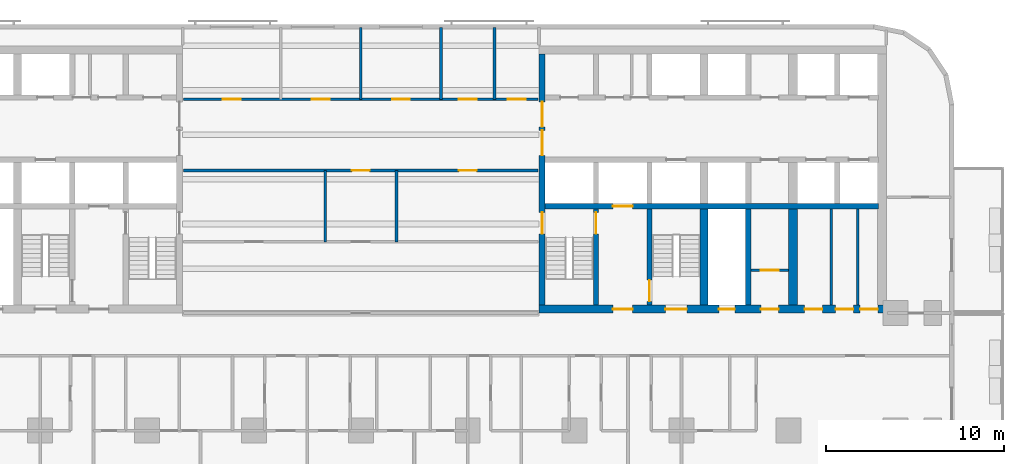
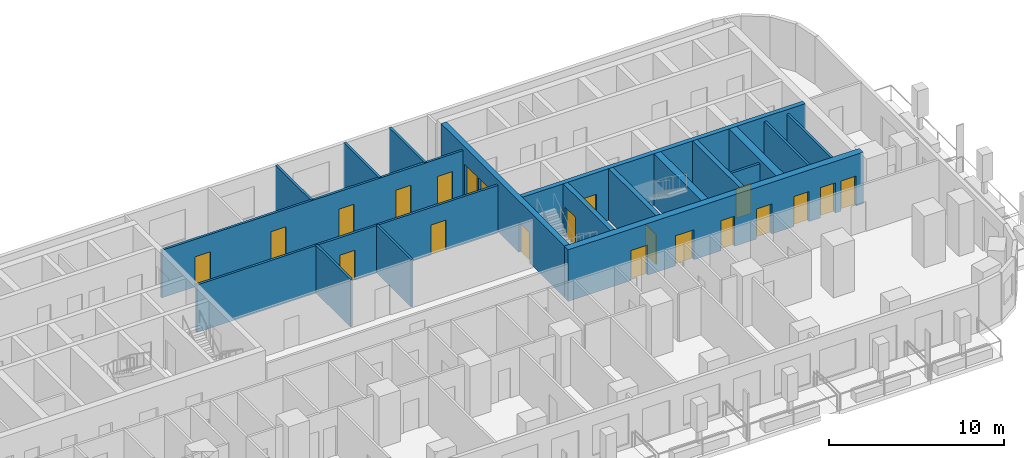
# One storey, part 7 of 14: 21 doors, 18 walls, 21 openings.
"""IFC4 building model written with IfcOpenShell, lengths in metres."""

from ifc_helpers import new_model, si_unit, direction, frame, frame_2d, origin, place, context, subcontext, project, spatial, rectangle, extrude, material, layer, layer_set, type_object, element, fill, save


model = new_model("IFC4")

# Units and contexts
model_context = context("Model", 3, precision=1e-05, world=origin(), true_north=direction((0.0, 1.0)))
body_context = subcontext(model_context, "Body", "Model", "MODEL_VIEW")
ifc_project = project(units=[si_unit("LENGTHUNIT", "METRE"), si_unit("AREAUNIT", "SQUARE_METRE"), si_unit("VOLUMEUNIT", "CUBIC_METRE"), si_unit("PLANEANGLEUNIT", "RADIAN"), si_unit("MASSUNIT", "GRAM", prefix="KILO")], contexts=[model_context])

# Site, building, storey
site_placement = place(None, origin())
site = spatial("IfcSite", under=ifc_project, at=site_placement, CompositionType="ELEMENT")
building_placement = place(site_placement, origin())
building = spatial("IfcBuilding", under=site, at=building_placement, Name="Torana Hotel and Residences", CompositionType="ELEMENT")
storey_placement = place(building_placement, frame((0.0, 0.0, 85.199951171875)))
storey = spatial("IfcBuildingStorey", under=building, at=storey_placement, Name="L21", CompositionType="ELEMENT", Elevation=85.199951171875)

# Wall, opening, door
ifc_material_1 = material(Name="Concrete C80/95", Category="concrete")
ifc_layer_1 = layer(ifc_material_1, 0.300048828125)
ifc_layer_set_1 = layer_set([ifc_layer_1], Name="CORE WALL 300 C80/95")
wall_type_1 = type_object("IfcWallType", Name="CORE WALL 300 C80/95", PredefinedType="SHEAR", material=ifc_layer_set_1)
wall_1_placement = place(storey_placement, frame((10.35009765625, -9.0, 0.0), z_axis=(0.0, 0.0, 1.0), x_axis=(1.0, 0.0, 0.0)))
wall_1 = element("IfcWall", 1, at=wall_1_placement, inside=storey, type_object=wall_type_1, Name="Core wall E band", PredefinedType="SHEAR", context=body_context, shape_type="SweptSolid", body=[
    extrude(rectangle(XDim=18.699951171875, YDim=0.300048828125, at=frame_2d((9.35009765625, 0.0))), origin(), (0.0, 0.0, 1.0), 3.60009765625),
])
opening_1_placement = place(wall_1_placement, frame((3.800048828125, 0.0, 0.0)))
opening_1 = element("IfcOpeningElement", 2, at=opening_1_placement, cuts=wall_1, Name="Opening LD", PredefinedType="OPENING", context=body_context, shape_type="SweptSolid", body=[
    extrude(rectangle(XDim=1.10009765625, YDim=2.10009765625, at=frame_2d((0.550048828125, 1.050048828125))), frame((0.0, 0.159912109375, 0.0), z_axis=(0.0, -1.0, 0.0), x_axis=(1.0, 0.0, 0.0)), (0.0, 0.0, 1.0), 0.320068359375),
])
ifc_material_2 = material(Name="Stainless steel 316", Category="steel")
door_type_1 = type_object("IfcDoorType", Name="LIFT LANDING DOOR LD 1100x2100", OperationType="DOUBLE_DOOR_SLIDING", PredefinedType="USERDEFINED", material=ifc_material_2)
door_1_placement = place(opening_1_placement, origin())
door_1 = element("IfcDoor", 3, at=door_1_placement, inside=storey, type_object=door_type_1, Name="Lift landing door FF2 L21", ObjectType="LIFT LANDING DOOR", OperationType="DOUBLE_DOOR_SLIDING", OverallHeight=2.10009765625, OverallWidth=1.10009765625, PredefinedType="USERDEFINED", context=body_context, shape_type="SweptSolid", body=[
    extrude(rectangle(XDim=1.10009765625, YDim=2.10009765625, at=frame_2d((0.550048828125, 1.050048828125))), frame((0.0, 0.02490234375, 0.0), z_axis=(0.0, -1.0, 0.0), x_axis=(1.0, 0.0, 0.0)), (0.0, 0.0, 1.0), 0.050048828125),
])
fill(opening_1, door_1)

wall_2_placement = place(storey_placement, frame((13.199951171875, -14.550048828125, 0.0), z_axis=(0.0, 0.0, 1.0), x_axis=(0.0, 1.0, 0.0)))
wall_2 = element("IfcWall", 4, at=wall_2_placement, inside=storey, type_object=wall_type_1, Name="Core wall E x3.05-band", PredefinedType="SHEAR", context=body_context, shape_type="SweptSolid", body=[
    extrude(rectangle(XDim=5.400146484375, YDim=0.300048828125, at=frame_2d((2.7001953125, 0.0))), origin(), (0.0, 0.0, 1.0), 3.60009765625),
])
opening_2_placement = place(wall_2_placement, frame((4.0, 0.0, 0.0)))
opening_2 = element("IfcOpeningElement", 5, at=opening_2_placement, cuts=wall_2, Name="Opening L21-35", PredefinedType="OPENING", context=body_context, shape_type="SweptSolid", body=[
    extrude(rectangle(XDim=1.199951171875, YDim=2.10009765625, at=frame_2d((0.60009765625, 1.050048828125))), frame((0.0, 0.159912109375, 0.0), z_axis=(0.0, -1.0, 0.0), x_axis=(1.0, 0.0, 0.0)), (0.0, 0.0, 1.0), 0.320068359375),
])
ifc_material_3 = material(Name="Steel S235", Category="steel")
door_type_2 = type_object("IfcDoorType", Name="STAIR FIRE DOOR D3 1200x2100", OperationType="SINGLE_SWING_LEFT", PredefinedType="DOOR", material=ifc_material_3)
door_2_placement = place(opening_2_placement, origin())
door_2 = element("IfcDoor", 6, at=door_2_placement, inside=storey, type_object=door_type_2, Name="Stair-A-lobby door L21", OperationType="SINGLE_SWING_LEFT", OverallHeight=2.10009765625, OverallWidth=1.199951171875, PredefinedType="DOOR", context=body_context, shape_type="SweptSolid", body=[
    extrude(rectangle(XDim=1.199951171875, YDim=2.10009765625, at=frame_2d((0.60009765625, 1.050048828125))), frame((0.0, 0.02490234375, 0.0), z_axis=(0.0, -1.0, 0.0), x_axis=(1.0, 0.0, 0.0)), (0.0, 0.0, 1.0), 0.050048828125),
])
fill(opening_2, door_2)

wall_3_placement = place(storey_placement, frame((16.199951171875, -14.550048828125, 0.0), z_axis=(0.0, 0.0, 1.0), x_axis=(0.0, 1.0, 0.0)))
wall_3 = element("IfcWall", 7, at=wall_3_placement, inside=storey, type_object=wall_type_1, Name="Core wall E x6.05-band", PredefinedType="SHEAR", context=body_context, shape_type="SweptSolid", body=[
    extrude(rectangle(XDim=5.400146484375, YDim=0.300048828125, at=frame_2d((2.7001953125, 0.0))), origin(), (0.0, 0.0, 1.0), 3.60009765625),
])
opening_3_placement = place(wall_3_placement, frame((0.199951171875, 0.0, 0.0)))
opening_3 = element("IfcOpeningElement", 8, at=opening_3_placement, cuts=wall_3, Name="Opening L21-36", PredefinedType="OPENING", context=body_context, shape_type="SweptSolid", body=[
    extrude(rectangle(XDim=1.199951171875, YDim=2.10009765625, at=frame_2d((0.60009765625, 1.050048828125))), frame((0.0, 0.159912109375, 0.0), z_axis=(0.0, -1.0, 0.0), x_axis=(1.0, 0.0, 0.0)), (0.0, 0.0, 1.0), 0.320068359375),
])
door_3_placement = place(opening_3_placement, frame((0.60009765625, 0.0, 0.0), z_axis=(0.0, 0.0, 1.0), x_axis=(-1.0, 0.0, 0.0)))
door_3 = element("IfcDoor", 9, at=door_3_placement, inside=storey, type_object=door_type_2, Name="Stair-B-lobby door L21", OperationType="SINGLE_SWING_LEFT", OverallHeight=2.10009765625, OverallWidth=1.199951171875, PredefinedType="DOOR", context=body_context, shape_type="SweptSolid", body=[
    extrude(rectangle(XDim=1.199951171875, YDim=2.10009765625, at=frame_2d((0.0, 1.050048828125))), frame((0.0, -0.02490234375, 0.0), z_axis=(0.0, 1.0, 0.0), x_axis=(-1.0, 0.0, 0.0)), (0.0, 0.0, 1.0), 0.050048828125),
])
fill(opening_3, door_3)

# Wall
wall_4_placement = place(storey_placement, frame((21.75, -14.550048828125, 0.0), z_axis=(0.0, 0.0, 1.0), x_axis=(0.0, 1.0, 0.0)))
element("IfcWall", 10, at=wall_4_placement, inside=storey, type_object=wall_type_1, Name="Core wall E mm-band", PredefinedType="SHEAR", context=body_context, shape_type="SweptSolid", body=[
    extrude(rectangle(XDim=5.400146484375, YDim=0.300048828125, at=frame_2d((2.7001953125, 0.0))), origin(), (0.0, 0.0, 1.0), 3.60009765625),
])

# Wall, openings, doors
ifc_material_4 = material(Name="Concrete C80/95", Category="concrete")
ifc_layer_2 = layer(ifc_material_4, 0.35009765625)
ifc_layer_set_2 = layer_set([ifc_layer_2], Name="CORE WALL 350 C80/95")
wall_type_2 = type_object("IfcWallType", Name="CORE WALL 350 C80/95", PredefinedType="SHEAR", material=ifc_layer_set_2)
wall_5_placement = place(storey_placement, frame((10.175048828125, -14.550048828125, 0.0), z_axis=(0.0, 0.0, 1.0), x_axis=(0.0, 1.0, 0.0)))
wall_5 = element("IfcWall", 11, at=wall_5_placement, inside=storey, type_object=wall_type_2, Name="Core wall E arch", PredefinedType="SHEAR", context=body_context, shape_type="SweptSolid", body=[
    extrude(rectangle(XDim=14.10009765625, YDim=0.35009765625, at=frame_2d((7.050048828125, 0.0))), origin(), (0.0, 0.0, 1.0), 3.60009765625),
])
opening_4_placement = place(wall_5_placement, frame((8.39990234375, 0.0, 0.0)))
opening_4 = element("IfcOpeningElement", 12, at=opening_4_placement, cuts=wall_5, Name="Opening L21-19", PredefinedType="OPENING", context=body_context, shape_type="SweptSolid", body=[
    extrude(rectangle(XDim=1.39990234375, YDim=2.39990234375, at=frame_2d((0.699951171875, 1.199951171875))), frame((0.0, 0.18505859375, 0.0), z_axis=(0.0, -1.0, 0.0), x_axis=(1.0, 0.0, 0.0)), (0.0, 0.0, 1.0), 0.3701171875),
])
opening_5_placement = place(wall_5_placement, frame((10.0, 0.0, 0.0)))
opening_5 = element("IfcOpeningElement", 13, at=opening_5_placement, cuts=wall_5, Name="Opening L21-20", PredefinedType="OPENING", context=body_context, shape_type="SweptSolid", body=[
    extrude(rectangle(XDim=1.39990234375, YDim=2.39990234375, at=frame_2d((0.699951171875, 1.199951171875))), frame((0.0, 0.18505859375, 0.0), z_axis=(0.0, -1.0, 0.0), x_axis=(1.0, 0.0, 0.0)), (0.0, 0.0, 1.0), 0.3701171875),
])
opening_6_placement = place(wall_5_placement, frame((4.0, 0.0, 0.0)))
opening_6 = element("IfcOpeningElement", 14, at=opening_6_placement, cuts=wall_5, Name="Opening L21-21", PredefinedType="OPENING", context=body_context, shape_type="SweptSolid", body=[
    extrude(rectangle(XDim=1.199951171875, YDim=2.10009765625, at=frame_2d((0.60009765625, 1.050048828125))), frame((0.0, 0.18505859375, 0.0), z_axis=(0.0, -1.0, 0.0), x_axis=(1.0, 0.0, 0.0)), (0.0, 0.0, 1.0), 0.3701171875),
])
ifc_material_5 = material(Name="Steel S235", Category="steel")
door_type_3 = type_object("IfcDoorType", Name="LOBBY FIRE DOOR D4 1400x2400", OperationType="DOUBLE_DOOR_SINGLE_SWING", PredefinedType="DOOR", material=ifc_material_5)
door_4_placement = place(opening_4_placement, origin())
door_4 = element("IfcDoor", 15, at=door_4_placement, inside=storey, type_object=door_type_3, Name="Lobby-1 door L21", OperationType="DOUBLE_DOOR_SINGLE_SWING", OverallHeight=2.39990234375, OverallWidth=1.39990234375, PredefinedType="DOOR", context=body_context, shape_type="SweptSolid", body=[
    extrude(rectangle(XDim=1.39990234375, YDim=2.39990234375, at=frame_2d((0.699951171875, 1.199951171875))), frame((0.0, 0.02490234375, 0.0), z_axis=(0.0, -1.0, 0.0), x_axis=(1.0, 0.0, 0.0)), (0.0, 0.0, 1.0), 0.050048828125),
])
fill(opening_4, door_4)
door_5_placement = place(opening_5_placement, origin())
door_5 = element("IfcDoor", 16, at=door_5_placement, inside=storey, type_object=door_type_3, Name="Lobby-2 door L21", OperationType="DOUBLE_DOOR_SINGLE_SWING", OverallHeight=2.39990234375, OverallWidth=1.39990234375, PredefinedType="DOOR", context=body_context, shape_type="SweptSolid", body=[
    extrude(rectangle(XDim=1.39990234375, YDim=2.39990234375, at=frame_2d((0.699951171875, 1.199951171875))), frame((0.0, 0.02490234375, 0.0), z_axis=(0.0, -1.0, 0.0), x_axis=(1.0, 0.0, 0.0)), (0.0, 0.0, 1.0), 0.050048828125),
])
fill(opening_5, door_5)
door_6_placement = place(opening_6_placement, frame((0.60009765625, 0.0, 0.0), z_axis=(0.0, 0.0, 1.0), x_axis=(-1.0, 0.0, 0.0)))
door_6 = element("IfcDoor", 17, at=door_6_placement, inside=storey, type_object=door_type_2, Name="Stair-A door L21", OperationType="SINGLE_SWING_RIGHT", OverallHeight=2.10009765625, OverallWidth=1.199951171875, PredefinedType="DOOR", context=body_context, shape_type="SweptSolid", body=[
    extrude(rectangle(XDim=1.199951171875, YDim=2.10009765625, at=frame_2d((0.0, 1.050048828125))), frame((0.0, -0.02490234375, 0.0), z_axis=(0.0, 1.0, 0.0), x_axis=(-1.0, 0.0, 0.0)), (0.0, 0.0, 1.0), 0.050048828125),
])
fill(opening_6, door_6)

ifc_material_6 = material(Name="Concrete C80/95", Category="concrete")
ifc_layer_3 = layer(ifc_material_6, 0.449951171875)
ifc_layer_set_3 = layer_set([ifc_layer_3], Name="CORE WALL 450 C80/95")
wall_type_3 = type_object("IfcWallType", Name="CORE WALL 450 C80/95", PredefinedType="SHEAR", material=ifc_layer_set_3)
wall_6_placement = place(storey_placement, frame((10.0, -14.77490234375, 0.0), z_axis=(0.0, 0.0, 1.0), x_axis=(1.0, 0.0, 0.0)))
wall_6 = element("IfcWall", 18, at=wall_6_placement, inside=storey, type_object=wall_type_3, Name="Core wall E front", PredefinedType="SHEAR", context=body_context, shape_type="SweptSolid", body=[
    extrude(rectangle(XDim=19.5, YDim=0.449951171875, at=frame_2d((9.75, 0.0))), origin(), (0.0, 0.0, 1.0), 3.60009765625),
])
opening_7_placement = place(wall_6_placement, frame((7.10009765625, 0.0, 0.0)))
opening_7 = element("IfcOpeningElement", 19, at=opening_7_placement, cuts=wall_6, Name="Opening L21-22", PredefinedType="OPENING", context=body_context, shape_type="SweptSolid", body=[
    extrude(rectangle(XDim=1.199951171875, YDim=2.10009765625, at=frame_2d((0.60009765625, 1.050048828125))), frame((0.0, 0.23486328125, 0.0), z_axis=(0.0, -1.0, 0.0), x_axis=(1.0, 0.0, 0.0)), (0.0, 0.0, 1.0), 0.469970703125),
])
opening_8_placement = place(wall_6_placement, frame((4.14990234375, 0.0, 0.0)))
opening_8 = element("IfcOpeningElement", 20, at=opening_8_placement, cuts=wall_6, Name="Opening L21-23", PredefinedType="OPENING", context=body_context, shape_type="SweptSolid", body=[
    extrude(rectangle(XDim=1.10009765625, YDim=2.10009765625, at=frame_2d((0.550048828125, 1.050048828125))), frame((0.0, 0.23486328125, 0.0), z_axis=(0.0, -1.0, 0.0), x_axis=(1.0, 0.0, 0.0)), (0.0, 0.0, 1.0), 0.469970703125),
])
opening_9_placement = place(wall_6_placement, frame((10.10009765625, 0.0, 0.0)))
opening_9 = element("IfcOpeningElement", 21, at=opening_9_placement, cuts=wall_6, Name="Opening L21-24", PredefinedType="OPENING", context=body_context, shape_type="SweptSolid", body=[
    extrude(rectangle(XDim=0.89990234375, YDim=2.10009765625, at=frame_2d((0.449951171875, 1.050048828125))), frame((0.0, 0.23486328125, 0.0), z_axis=(0.0, -1.0, 0.0), x_axis=(1.0, 0.0, 0.0)), (0.0, 0.0, 1.0), 0.469970703125),
])
opening_10_placement = place(wall_6_placement, frame((12.449951171875, 0.0, 0.0)))
opening_10 = element("IfcOpeningElement", 22, at=opening_10_placement, cuts=wall_6, Name="Opening L21-25", PredefinedType="OPENING", context=body_context, shape_type="SweptSolid", body=[
    extrude(rectangle(XDim=1.0, YDim=2.10009765625, at=frame_2d((0.5, 1.050048828125))), frame((0.0, 0.23486328125, 0.0), z_axis=(0.0, -1.0, 0.0), x_axis=(1.0, 0.0, 0.0)), (0.0, 0.0, 1.0), 0.469970703125),
])
opening_11_placement = place(wall_6_placement, frame((14.91259765625, 0.0, 0.0)))
opening_11 = element("IfcOpeningElement", 23, at=opening_11_placement, cuts=wall_6, Name="Opening L21-26", PredefinedType="OPENING", context=body_context, shape_type="SweptSolid", body=[
    extrude(rectangle(XDim=1.0, YDim=2.10009765625, at=frame_2d((0.5, 1.050048828125))), frame((0.0, 0.23486328125, 0.0), z_axis=(0.0, -1.0, 0.0), x_axis=(1.0, 0.0, 0.0)), (0.0, 0.0, 1.0), 0.469970703125),
])
opening_12_placement = place(wall_6_placement, frame((16.64990234375, 0.0, 0.0)))
opening_12 = element("IfcOpeningElement", 24, at=opening_12_placement, cuts=wall_6, Name="Opening L21-27", PredefinedType="OPENING", context=body_context, shape_type="SweptSolid", body=[
    extrude(rectangle(XDim=1.0, YDim=2.10009765625, at=frame_2d((0.5, 1.050048828125))), frame((0.0, 0.23486328125, 0.0), z_axis=(0.0, -1.0, 0.0), x_axis=(1.0, 0.0, 0.0)), (0.0, 0.0, 1.0), 0.469970703125),
])
opening_13_placement = place(wall_6_placement, frame((18.02490234375, 0.0, 0.0)))
opening_13 = element("IfcOpeningElement", 25, at=opening_13_placement, cuts=wall_6, Name="Opening L21-28", PredefinedType="OPENING", context=body_context, shape_type="SweptSolid", body=[
    extrude(rectangle(XDim=1.0, YDim=2.10009765625, at=frame_2d((0.5, 1.050048828125))), frame((0.0, 0.23486328125, 0.0), z_axis=(0.0, -1.0, 0.0), x_axis=(1.0, 0.0, 0.0)), (0.0, 0.0, 1.0), 0.469970703125),
])
ifc_material_7 = material(Name="Steel S235", Category="steel")
door_type_4 = type_object("IfcDoorType", Name="CORE ROOM FIRE DOOR D14 1000x2100", OperationType="SINGLE_SWING_LEFT", PredefinedType="DOOR", material=ifc_material_7)
door_7_placement = place(opening_10_placement, origin())
door_7 = element("IfcDoor", 26, at=door_7_placement, inside=storey, type_object=door_type_4, Name="M-Room-B door L21", OperationType="SINGLE_SWING_RIGHT", OverallHeight=2.10009765625, OverallWidth=1.0, PredefinedType="DOOR", context=body_context, shape_type="SweptSolid", body=[
    extrude(rectangle(XDim=1.0, YDim=2.10009765625, at=frame_2d((0.5, 1.050048828125))), frame((0.0, 0.02490234375, 0.0), z_axis=(0.0, -1.0, 0.0), x_axis=(1.0, 0.0, 0.0)), (0.0, 0.0, 1.0), 0.050048828125),
])
fill(opening_10, door_7)
door_8_placement = place(opening_11_placement, origin())
door_8 = element("IfcDoor", 27, at=door_8_placement, inside=storey, type_object=door_type_4, Name="L-A door L21", OperationType="SINGLE_SWING_RIGHT", OverallHeight=2.10009765625, OverallWidth=1.0, PredefinedType="DOOR", context=body_context, shape_type="SweptSolid", body=[
    extrude(rectangle(XDim=1.0, YDim=2.10009765625, at=frame_2d((0.5, 1.050048828125))), frame((0.0, 0.02490234375, 0.0), z_axis=(0.0, -1.0, 0.0), x_axis=(1.0, 0.0, 0.0)), (0.0, 0.0, 1.0), 0.050048828125),
])
fill(opening_11, door_8)
door_9_placement = place(opening_12_placement, origin())
door_9 = element("IfcDoor", 28, at=door_9_placement, inside=storey, type_object=door_type_4, Name="L-B door L21", OperationType="SINGLE_SWING_RIGHT", OverallHeight=2.10009765625, OverallWidth=1.0, PredefinedType="DOOR", context=body_context, shape_type="SweptSolid", body=[
    extrude(rectangle(XDim=1.0, YDim=2.10009765625, at=frame_2d((0.5, 1.050048828125))), frame((0.0, 0.02490234375, 0.0), z_axis=(0.0, -1.0, 0.0), x_axis=(1.0, 0.0, 0.0)), (0.0, 0.0, 1.0), 0.050048828125),
])
fill(opening_12, door_9)
door_10_placement = place(opening_13_placement, origin())
door_10 = element("IfcDoor", 29, at=door_10_placement, inside=storey, type_object=door_type_4, Name="L-C door L21", OperationType="SINGLE_SWING_RIGHT", OverallHeight=2.10009765625, OverallWidth=1.0, PredefinedType="DOOR", context=body_context, shape_type="SweptSolid", body=[
    extrude(rectangle(XDim=1.0, YDim=2.10009765625, at=frame_2d((0.5, 1.050048828125))), frame((0.0, 0.02490234375, 0.0), z_axis=(0.0, -1.0, 0.0), x_axis=(1.0, 0.0, 0.0)), (0.0, 0.0, 1.0), 0.050048828125),
])
fill(opening_13, door_10)
ifc_material_8 = material(Name="Steel S235", Category="steel")
door_type_5 = type_object("IfcDoorType", Name="FIRE-FIGHTING LOBBY DOOR D8 1100x2100", OperationType="SINGLE_SWING_LEFT", PredefinedType="DOOR", material=ifc_material_8)
door_11_placement = place(opening_8_placement, origin())
door_11 = element("IfcDoor", 30, at=door_11_placement, inside=storey, type_object=door_type_5, Name="FF-lobby door L21", OperationType="SINGLE_SWING_RIGHT", OverallHeight=2.10009765625, OverallWidth=1.10009765625, PredefinedType="DOOR", context=body_context, shape_type="SweptSolid", body=[
    extrude(rectangle(XDim=1.10009765625, YDim=2.10009765625, at=frame_2d((0.550048828125, 1.050048828125))), frame((0.0, 0.02490234375, 0.0), z_axis=(0.0, -1.0, 0.0), x_axis=(1.0, 0.0, 0.0)), (0.0, 0.0, 1.0), 0.050048828125),
])
fill(opening_8, door_11)
ifc_material_9 = material(Name="Steel S235", Category="steel")
door_type_6 = type_object("IfcDoorType", Name="RISER ACCESS DOOR D5 900x2100", OperationType="SINGLE_SWING_LEFT", PredefinedType="DOOR", material=ifc_material_9)
door_12_placement = place(opening_9_placement, origin())
door_12 = element("IfcDoor", 31, at=door_12_placement, inside=storey, type_object=door_type_6, Name="M-Riser door L21", OperationType="SINGLE_SWING_RIGHT", OverallHeight=2.10009765625, OverallWidth=0.89990234375, PredefinedType="DOOR", context=body_context, shape_type="SweptSolid", body=[
    extrude(rectangle(XDim=0.89990234375, YDim=2.10009765625, at=frame_2d((0.449951171875, 1.050048828125))), frame((0.0, 0.02490234375, 0.0), z_axis=(0.0, -1.0, 0.0), x_axis=(1.0, 0.0, 0.0)), (0.0, 0.0, 1.0), 0.050048828125),
])
fill(opening_9, door_12)
door_13_placement = place(opening_7_placement, origin())
door_13 = element("IfcDoor", 32, at=door_13_placement, inside=storey, type_object=door_type_2, Name="Stair-B door L21", OperationType="SINGLE_SWING_RIGHT", OverallHeight=2.10009765625, OverallWidth=1.199951171875, PredefinedType="DOOR", context=body_context, shape_type="SweptSolid", body=[
    extrude(rectangle(XDim=1.199951171875, YDim=2.10009765625, at=frame_2d((0.60009765625, 1.050048828125))), frame((0.0, 0.02490234375, 0.0), z_axis=(0.0, -1.0, 0.0), x_axis=(1.0, 0.0, 0.0)), (0.0, 0.0, 1.0), 0.050048828125),
])
fill(opening_7, door_13)

# Walls
wall_7_placement = place(storey_placement, frame((19.27490234375, -14.550048828125, 0.0), z_axis=(0.0, 0.0, 1.0), x_axis=(0.0, 1.0, 0.0)))
element("IfcWall", 33, at=wall_7_placement, inside=storey, type_object=wall_type_3, Name="Core wall E hm-band", PredefinedType="SHEAR", context=body_context, shape_type="SweptSolid", body=[
    extrude(rectangle(XDim=5.400146484375, YDim=0.449951171875, at=frame_2d((2.7001953125, 0.0))), origin(), (0.0, 0.0, 1.0), 3.60009765625),
])
ifc_material_10 = material(Name="Concrete C80/95", Category="concrete")
ifc_layer_4 = layer(ifc_material_10, 0.5)
ifc_layer_set_4 = layer_set([ifc_layer_4], Name="CORE WALL 500 C80/95")
wall_type_4 = type_object("IfcWallType", Name="CORE WALL 500 C80/95", PredefinedType="SHEAR", material=ifc_layer_set_4)
wall_8_placement = place(storey_placement, frame((24.25, -14.550048828125, 0.0), z_axis=(0.0, 0.0, 1.0), x_axis=(0.0, 1.0, 0.0)))
element("IfcWall", 34, at=wall_8_placement, inside=storey, type_object=wall_type_4, Name="Core wall E ml-band", PredefinedType="SHEAR", context=body_context, shape_type="SweptSolid", body=[
    extrude(rectangle(XDim=5.400146484375, YDim=0.5, at=frame_2d((2.7001953125, 0.0))), origin(), (0.0, 0.0, 1.0), 3.60009765625),
])

# Wall, opening, door
ifc_material_11 = material(Name="Gypsum plaster")
ifc_layer_5 = layer(ifc_material_11, 0.014892578125, Name="Plaster", Category="finish")
ifc_material_12 = material(Name="Concrete blockwork", Category="masonry")
ifc_layer_6 = layer(ifc_material_12, 0.1201171875, Name="Blockwork", Category="structure")
ifc_layer_7 = layer(ifc_material_11, 0.014892578125, Name="Plaster", Category="finish")
ifc_layer_set_5 = layer_set([ifc_layer_5, ifc_layer_6, ifc_layer_7], Name="FIRE PARTITION 150 BLOCKWORK")
wall_type_5 = type_object("IfcWallType", Name="FIRE PARTITION 150 BLOCKWORK", PredefinedType="PARTITIONING", material=ifc_layer_set_5)
wall_9_placement = place(storey_placement, frame((21.89990234375, -12.60009765625, 0.0), z_axis=(0.0, 0.0, 1.0), x_axis=(1.0, 0.0, 0.0)))
wall_9 = element("IfcWall", 35, at=wall_9_placement, inside=storey, type_object=wall_type_5, Name="Core partition L21", PredefinedType="PARTITIONING", context=body_context, shape_type="SweptSolid", body=[
    extrude(rectangle(XDim=2.10009765625, YDim=0.14990234375, at=frame_2d((1.050048828125, 0.0))), origin(), (0.0, 0.0, 1.0), 3.300048828125),
])
opening_14_placement = place(wall_9_placement, frame((0.550048828125, 0.0, 0.0)))
opening_14 = element("IfcOpeningElement", 36, at=opening_14_placement, cuts=wall_9, Name="Opening L21-38", PredefinedType="OPENING", context=body_context, shape_type="SweptSolid", body=[
    extrude(rectangle(XDim=1.0, YDim=2.10009765625, at=frame_2d((0.5, 1.050048828125))), frame((0.0, 0.0849609375, 0.0), z_axis=(0.0, -1.0, 0.0), x_axis=(1.0, 0.0, 0.0)), (0.0, 0.0, 1.0), 0.169921875),
])
door_14_placement = place(opening_14_placement, origin())
door_14 = element("IfcDoor", 37, at=door_14_placement, inside=storey, type_object=door_type_4, Name="Plant room door L21", OperationType="SINGLE_SWING_RIGHT", OverallHeight=2.10009765625, OverallWidth=1.0, PredefinedType="DOOR", context=body_context, shape_type="SweptSolid", body=[
    extrude(rectangle(XDim=1.0, YDim=2.10009765625, at=frame_2d((0.5, 1.050048828125))), frame((0.0, 0.02490234375, 0.0), z_axis=(0.0, -1.0, 0.0), x_axis=(1.0, 0.0, 0.0)), (0.0, 0.0, 1.0), 0.050048828125),
])
fill(opening_14, door_14)

# Walls
for number, where, z_axis, x_axis, name in (
    (38, (26.39990234375, -14.550048828125, 0.0), (0.0, 0.0, 1.0), (0.0, 1.0, 0.0), "Core partition L21"),
    (39, (27.89990234375, -14.550048828125, 0.0), (0.0, 0.0, 1.0), (0.0, 1.0, 0.0), "Core partition L21"),
):
    element("IfcWall", number, at=place(storey_placement, frame(where, z_axis=z_axis, x_axis=x_axis)), inside=storey, type_object=wall_type_5, Name=name, PredefinedType="PARTITIONING", context=body_context, shape_type="SweptSolid", body=[
        extrude(rectangle(XDim=5.400146484375, YDim=0.14990234375, at=frame_2d((2.7001953125, 0.0))), origin(), (0.0, 0.0, 1.0), 3.300048828125),
    ])
for number, where, z_axis, x_axis, name in (
    (40, (2.0, -11.0, 0.0), (0.0, 0.0, 1.0), (0.0, 1.0, 0.0), "Partition L21"),
    (41, (-2.0, -11.0, 0.0), (0.0, 0.0, 1.0), (0.0, 1.0, 0.0), "Partition L21"),
):
    element("IfcWall", number, at=place(storey_placement, frame(where, z_axis=z_axis, x_axis=x_axis)), inside=storey, type_object=wall_type_5, Name=name, PredefinedType="PARTITIONING", context=body_context, shape_type="SweptSolid", body=[
        extrude(rectangle(XDim=4.0, YDim=0.14990234375, at=frame_2d((2.0, 0.0))), origin(), (0.0, 0.0, 1.0), 3.320068359375),
    ])

# Wall, openings, doors
wall_10_placement = place(storey_placement, frame((-9.949951171875, -7.0, 0.0), z_axis=(0.0, 0.0, 1.0), x_axis=(1.0, 0.0, 0.0)))
wall_10 = element("IfcWall", 42, at=wall_10_placement, inside=storey, type_object=wall_type_5, Name="Partition L21", PredefinedType="PARTITIONING", context=body_context, shape_type="SweptSolid", body=[
    extrude(rectangle(XDim=19.89990234375, YDim=0.14990234375, at=frame_2d((9.949951171875, 0.0))), origin(), (0.0, 0.0, 1.0), 3.320068359375),
])
opening_15_placement = place(wall_10_placement, frame((9.449951171875, 0.0, 0.0)))
opening_15 = element("IfcOpeningElement", 43, at=opening_15_placement, cuts=wall_10, Name="Opening L21-53", PredefinedType="OPENING", context=body_context, shape_type="SweptSolid", body=[
    extrude(rectangle(XDim=1.0, YDim=2.10009765625, at=frame_2d((0.5, 1.050048828125))), frame((0.0, 0.0849609375, 0.0), z_axis=(0.0, -1.0, 0.0), x_axis=(1.0, 0.0, 0.0)), (0.0, 0.0, 1.0), 0.169921875),
])
opening_16_placement = place(wall_10_placement, frame((15.449951171875, 0.0, 0.0)))
opening_16 = element("IfcOpeningElement", 44, at=opening_16_placement, cuts=wall_10, Name="Opening L21-54", PredefinedType="OPENING", context=body_context, shape_type="SweptSolid", body=[
    extrude(rectangle(XDim=1.0, YDim=2.10009765625, at=frame_2d((0.5, 1.050048828125))), frame((0.0, 0.0849609375, 0.0), z_axis=(0.0, -1.0, 0.0), x_axis=(1.0, 0.0, 0.0)), (0.0, 0.0, 1.0), 0.169921875),
])
ifc_material_13 = material(Name="Steel S235", Category="steel")
door_type_7 = type_object("IfcDoorType", Name="ENTRY FIRE DOOR D6 1000x2100", OperationType="SINGLE_SWING_LEFT", PredefinedType="DOOR", material=ifc_material_13)
door_15_placement = place(opening_15_placement, origin())
door_15 = element("IfcDoor", 45, at=door_15_placement, inside=storey, type_object=door_type_7, Name="Door L21", OperationType="SINGLE_SWING_RIGHT", OverallHeight=2.10009765625, OverallWidth=1.0, PredefinedType="DOOR", context=body_context, shape_type="SweptSolid", body=[
    extrude(rectangle(XDim=1.0, YDim=2.10009765625, at=frame_2d((0.5, 1.050048828125))), frame((0.0, 0.02490234375, 0.0), z_axis=(0.0, -1.0, 0.0), x_axis=(1.0, 0.0, 0.0)), (0.0, 0.0, 1.0), 0.050048828125),
])
fill(opening_15, door_15)
door_16_placement = place(opening_16_placement, frame((0.5, 0.0, 0.0), z_axis=(0.0, 0.0, 1.0), x_axis=(-1.0, 0.0, 0.0)))
door_16 = element("IfcDoor", 46, at=door_16_placement, inside=storey, type_object=door_type_7, Name="Door L21", OperationType="SINGLE_SWING_LEFT", OverallHeight=2.10009765625, OverallWidth=1.0, PredefinedType="DOOR", context=body_context, shape_type="SweptSolid", body=[
    extrude(rectangle(XDim=1.0, YDim=2.10009765625, at=frame_2d((0.0, 1.050048828125))), frame((0.0, -0.02490234375, 0.0), z_axis=(0.0, 1.0, 0.0), x_axis=(-1.0, 0.0, 0.0)), (0.0, 0.0, 1.0), 0.050048828125),
])
fill(opening_16, door_16)

wall_11_placement = place(storey_placement, frame((-9.949951171875, -3.0, 0.0), z_axis=(0.0, 0.0, 1.0), x_axis=(1.0, 0.0, 0.0)))
wall_11 = element("IfcWall", 47, at=wall_11_placement, inside=storey, type_object=wall_type_5, Name="Partition L21", PredefinedType="PARTITIONING", context=body_context, shape_type="SweptSolid", body=[
    extrude(rectangle(XDim=19.89990234375, YDim=0.14990234375, at=frame_2d((9.949951171875, 0.0))), origin(), (0.0, 0.0, 1.0), 3.320068359375),
])
opening_17_placement = place(wall_11_placement, frame((2.199951171875, 0.0, 0.0)))
opening_17 = element("IfcOpeningElement", 48, at=opening_17_placement, cuts=wall_11, Name="Opening L21-55", PredefinedType="OPENING", context=body_context, shape_type="SweptSolid", body=[
    extrude(rectangle(XDim=1.0, YDim=2.10009765625, at=frame_2d((0.5, 1.050048828125))), frame((0.0, 0.0849609375, 0.0), z_axis=(0.0, -1.0, 0.0), x_axis=(1.0, 0.0, 0.0)), (0.0, 0.0, 1.0), 0.169921875),
])
opening_18_placement = place(wall_11_placement, frame((7.199951171875, 0.0, 0.0)))
opening_18 = element("IfcOpeningElement", 49, at=opening_18_placement, cuts=wall_11, Name="Opening L21-56", PredefinedType="OPENING", context=body_context, shape_type="SweptSolid", body=[
    extrude(rectangle(XDim=1.0, YDim=2.10009765625, at=frame_2d((0.5, 1.050048828125))), frame((0.0, 0.0849609375, 0.0), z_axis=(0.0, -1.0, 0.0), x_axis=(1.0, 0.0, 0.0)), (0.0, 0.0, 1.0), 0.169921875),
])
opening_19_placement = place(wall_11_placement, frame((11.699951171875, 0.0, 0.0)))
opening_19 = element("IfcOpeningElement", 50, at=opening_19_placement, cuts=wall_11, Name="Opening L21-57", PredefinedType="OPENING", context=body_context, shape_type="SweptSolid", body=[
    extrude(rectangle(XDim=1.0, YDim=2.10009765625, at=frame_2d((0.5, 1.050048828125))), frame((0.0, 0.0849609375, 0.0), z_axis=(0.0, -1.0, 0.0), x_axis=(1.0, 0.0, 0.0)), (0.0, 0.0, 1.0), 0.169921875),
])
opening_20_placement = place(wall_11_placement, frame((15.449951171875, 0.0, 0.0)))
opening_20 = element("IfcOpeningElement", 51, at=opening_20_placement, cuts=wall_11, Name="Opening L21-58", PredefinedType="OPENING", context=body_context, shape_type="SweptSolid", body=[
    extrude(rectangle(XDim=1.0, YDim=2.10009765625, at=frame_2d((0.5, 1.050048828125))), frame((0.0, 0.0849609375, 0.0), z_axis=(0.0, -1.0, 0.0), x_axis=(1.0, 0.0, 0.0)), (0.0, 0.0, 1.0), 0.169921875),
])
opening_21_placement = place(wall_11_placement, frame((18.199951171875, 0.0, 0.0)))
opening_21 = element("IfcOpeningElement", 52, at=opening_21_placement, cuts=wall_11, Name="Opening L21-59", PredefinedType="OPENING", context=body_context, shape_type="SweptSolid", body=[
    extrude(rectangle(XDim=1.0, YDim=2.10009765625, at=frame_2d((0.5, 1.050048828125))), frame((0.0, 0.0849609375, 0.0), z_axis=(0.0, -1.0, 0.0), x_axis=(1.0, 0.0, 0.0)), (0.0, 0.0, 1.0), 0.169921875),
])
door_17_placement = place(opening_17_placement, origin())
door_17 = element("IfcDoor", 53, at=door_17_placement, inside=storey, type_object=door_type_7, Name="Door L21", OperationType="SINGLE_SWING_RIGHT", OverallHeight=2.10009765625, OverallWidth=1.0, PredefinedType="DOOR", context=body_context, shape_type="SweptSolid", body=[
    extrude(rectangle(XDim=1.0, YDim=2.10009765625, at=frame_2d((0.5, 1.050048828125))), frame((0.0, 0.02490234375, 0.0), z_axis=(0.0, -1.0, 0.0), x_axis=(1.0, 0.0, 0.0)), (0.0, 0.0, 1.0), 0.050048828125),
])
fill(opening_17, door_17)
door_18_placement = place(opening_18_placement, origin())
door_18 = element("IfcDoor", 54, at=door_18_placement, inside=storey, type_object=door_type_7, Name="Door L21", OperationType="SINGLE_SWING_RIGHT", OverallHeight=2.10009765625, OverallWidth=1.0, PredefinedType="DOOR", context=body_context, shape_type="SweptSolid", body=[
    extrude(rectangle(XDim=1.0, YDim=2.10009765625, at=frame_2d((0.5, 1.050048828125))), frame((0.0, 0.02490234375, 0.0), z_axis=(0.0, -1.0, 0.0), x_axis=(1.0, 0.0, 0.0)), (0.0, 0.0, 1.0), 0.050048828125),
])
fill(opening_18, door_18)
door_19_placement = place(opening_19_placement, origin())
door_19 = element("IfcDoor", 55, at=door_19_placement, inside=storey, type_object=door_type_7, Name="Door L21", OperationType="SINGLE_SWING_RIGHT", OverallHeight=2.10009765625, OverallWidth=1.0, PredefinedType="DOOR", context=body_context, shape_type="SweptSolid", body=[
    extrude(rectangle(XDim=1.0, YDim=2.10009765625, at=frame_2d((0.5, 1.050048828125))), frame((0.0, 0.02490234375, 0.0), z_axis=(0.0, -1.0, 0.0), x_axis=(1.0, 0.0, 0.0)), (0.0, 0.0, 1.0), 0.050048828125),
])
fill(opening_19, door_19)
door_20_placement = place(opening_20_placement, origin())
door_20 = element("IfcDoor", 56, at=door_20_placement, inside=storey, type_object=door_type_7, Name="Door L21", OperationType="SINGLE_SWING_RIGHT", OverallHeight=2.10009765625, OverallWidth=1.0, PredefinedType="DOOR", context=body_context, shape_type="SweptSolid", body=[
    extrude(rectangle(XDim=1.0, YDim=2.10009765625, at=frame_2d((0.5, 1.050048828125))), frame((0.0, 0.02490234375, 0.0), z_axis=(0.0, -1.0, 0.0), x_axis=(1.0, 0.0, 0.0)), (0.0, 0.0, 1.0), 0.050048828125),
])
fill(opening_20, door_20)
door_21_placement = place(opening_21_placement, origin())
door_21 = element("IfcDoor", 57, at=door_21_placement, inside=storey, type_object=door_type_7, Name="Door L21", OperationType="SINGLE_SWING_RIGHT", OverallHeight=2.10009765625, OverallWidth=1.0, PredefinedType="DOOR", context=body_context, shape_type="SweptSolid", body=[
    extrude(rectangle(XDim=1.0, YDim=2.10009765625, at=frame_2d((0.5, 1.050048828125))), frame((0.0, 0.02490234375, 0.0), z_axis=(0.0, -1.0, 0.0), x_axis=(1.0, 0.0, 0.0)), (0.0, 0.0, 1.0), 0.050048828125),
])
fill(opening_21, door_21)

# Walls
ifc_material_14 = material(Name="Gypsum plasterboard")
ifc_layer_8 = layer(ifc_material_14, 0.012451171875, Name="Plasterboard", Category="finish")
ifc_layer_9 = layer(ifc_material_14, 0.012451171875, Name="Plasterboard", Category="finish")
ifc_material_15 = material(Name="Steel S280GD", Category="steel")
ifc_layer_10 = layer(ifc_material_15, 0.10009765625, Name="Steel studs with mineral wool", Category="insulation")
ifc_layer_11 = layer(ifc_material_14, 0.012451171875, Name="Plasterboard", Category="finish")
ifc_layer_12 = layer(ifc_material_14, 0.012451171875, Name="Plasterboard", Category="finish")
ifc_layer_set_6 = layer_set([ifc_layer_8, ifc_layer_9, ifc_layer_10, ifc_layer_11, ifc_layer_12], Name="PARTITION 150 PLASTERBOARD")
wall_type_6 = type_object("IfcWallType", Name="PARTITION 150 PLASTERBOARD", PredefinedType="PARTITIONING", material=ifc_layer_set_6)
wall_12_placement = place(storey_placement, frame((0.0, -3.0, 0.0), z_axis=(0.0, 0.0, 1.0), x_axis=(0.0, 1.0, 0.0)))
element("IfcWall", 58, at=wall_12_placement, inside=storey, type_object=wall_type_6, Name="Partition L21", PredefinedType="PARTITIONING", context=body_context, shape_type="SweptSolid", body=[
    extrude(rectangle(XDim=4.02001953125, YDim=0.14990234375, at=frame_2d((2.010009765625, 0.0))), origin(), (0.0, 0.0, 1.0), 3.320068359375),
])
ifc_material_16 = material(Name="Ceramic tile on adhesive")
ifc_layer_13 = layer(ifc_material_16, 0.010009765625, Name="Wall tile", Category="finish")
ifc_material_17 = material(Name="Cement render")
ifc_layer_14 = layer(ifc_material_17, 0.010009765625, Name="Render", Category="finish")
ifc_layer_15 = layer(ifc_material_12, 0.110107421875, Name="Blockwork", Category="structure")
ifc_layer_16 = layer(ifc_material_17, 0.010009765625, Name="Render", Category="finish")
ifc_layer_17 = layer(ifc_material_16, 0.010009765625, Name="Wall tile", Category="finish")
ifc_layer_set_7 = layer_set([ifc_layer_13, ifc_layer_14, ifc_layer_15, ifc_layer_16, ifc_layer_17], Name="WC PARTITION 150")
wall_type_7 = type_object("IfcWallType", Name="WC PARTITION 150", PredefinedType="PLUMBINGWALL", material=ifc_layer_set_7)
for number, where, z_axis, x_axis, name in (
    (59, (7.5, -3.0, 0.0), (0.0, 0.0, 1.0), (0.0, 1.0, 0.0), "Partition L21"),
    (60, (4.5, -3.0, 0.0), (0.0, 0.0, 1.0), (0.0, 1.0, 0.0), "Partition L21"),
):
    element("IfcWall", number, at=place(storey_placement, frame(where, z_axis=z_axis, x_axis=x_axis)), inside=storey, type_object=wall_type_7, Name=name, PredefinedType="PLUMBINGWALL", context=body_context, shape_type="SweptSolid", body=[
        extrude(rectangle(XDim=4.02001953125, YDim=0.14990234375, at=frame_2d((2.010009765625, 0.0))), origin(), (0.0, 0.0, 1.0), 3.320068359375),
    ])

save(model, "model.ifc")
